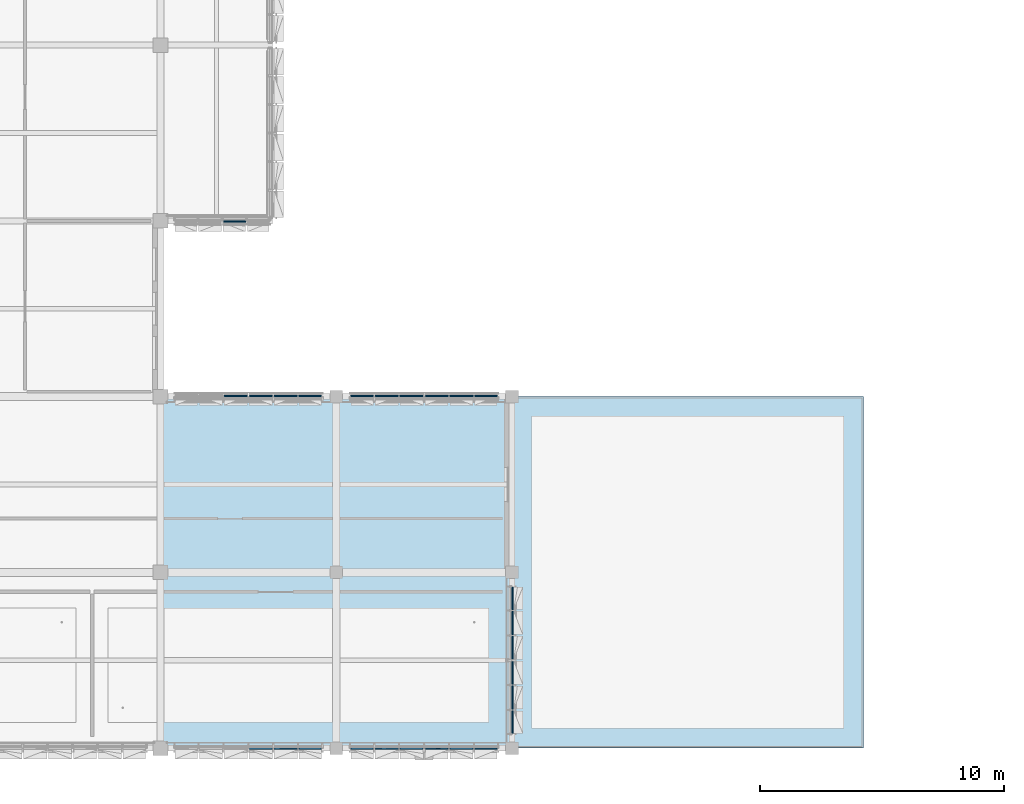
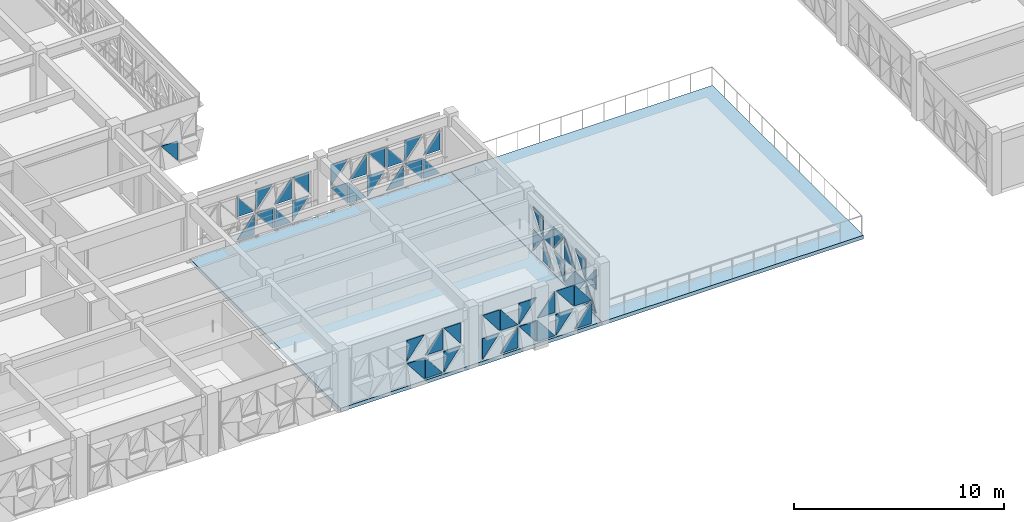
# One storey, part 34 of 99: 51 plates, 2 slabs, 6 elements without a shape of their own.
"""IFC4 building model written with IfcOpenShell, lengths in metres."""

import ifcopenshell
import ifcopenshell.guid

model = None  # the IFC model being written
_history = None  # IfcOwnerHistory: only IFC2X3 demands one
_inside = {}  # id of a spatial element -> (the spatial element, [elements in it])
_under = {}  # id of a project, library or spatial element -> (it, [spatial elements below it])
_declared = {}  # id of a project -> (the project, [libraries it declares])
_typed = {}  # id of a type object -> (the type object, [elements of that type])
_made_of = {}  # id of a material, layer set ... -> (it, [elements and type objects made of it])


def new_model(schema):
    """Start an empty IFC model of exactly this schema.

    Asked for "IFC4X3", IfcOpenShell would pick the latest addendum, in which some entities
    have other attributes; the version numbers below select the first issue.
    IFC2X3 requires an IfcOwnerHistory on every rooted entity: one is made here for all.
    """
    global model, _history
    if schema == "IFC4X3":
        model = ifcopenshell.file(schema_version=(4, 3, 0, 0))
    else:
        model = ifcopenshell.file(schema=schema)
    _inside.clear()
    _under.clear()
    _declared.clear()
    _typed.clear()
    _made_of.clear()
    _history = None
    if model.schema == "IFC2X3":
        org = make("IfcOrganization", Name="unknown")
        user = make(
            "IfcPersonAndOrganization",
            ThePerson=make("IfcPerson", FamilyName="unknown"),
            TheOrganization=org,
        )
        app = make(
            "IfcApplication",
            ApplicationDeveloper=org,
            Version="unknown",
            ApplicationFullName="unknown",
            ApplicationIdentifier="unknown",
        )
        _history = make(
            "IfcOwnerHistory",
            OwningUser=user,
            OwningApplication=app,
            ChangeAction="ADDED",
            CreationDate=0,
        )
    return model


def make(cls, **values):
    """One entity of the class cls with the attributes given. An attribute that is None is left unset."""
    return model.create_entity(
        cls, **{name: value for name, value in values.items() if value is not None}
    )


def rooted(cls, **values):
    """An entity with a GlobalId (a new one), such as an element, a storey or a relation."""
    return make(cls, GlobalId=ifcopenshell.guid.new(), OwnerHistory=_history, **values)


def si_unit(unit_type, name, prefix=None):
    """IfcSIUnit, for example si_unit("LENGTHUNIT", "METRE", prefix="MILLI")."""
    return make("IfcSIUnit", UnitType=unit_type, Prefix=prefix, Name=name)


def assignment(units):
    """IfcUnitAssignment: the units of a project."""
    return None if units is None else make("IfcUnitAssignment", Units=units)


def point(xyz):
    """IfcCartesianPoint."""
    return None if xyz is None else make("IfcCartesianPoint", Coordinates=xyz)


def direction(xyz):
    """IfcDirection."""
    return None if xyz is None else make("IfcDirection", DirectionRatios=xyz)


def frame(location, z_axis=None, x_axis=None):
    """IfcAxis2Placement3D, a coordinate frame: its origin and axes. An axis left out is left unset."""
    return make(
        "IfcAxis2Placement3D",
        Location=point(location),
        Axis=direction(z_axis),
        RefDirection=direction(x_axis),
    )


def origin():
    """The frame at (0, 0, 0) with its axes left unset."""
    return frame((0.0, 0.0, 0.0))


def place(relative_to, where):
    """IfcLocalPlacement: puts the frame where relative to a parent placement (None: the world)."""
    return make(
        "IfcLocalPlacement", PlacementRelTo=relative_to, RelativePlacement=where
    )


def context(
    kind, dimensions, precision=None, world=None, true_north=None, identifier=None
):
    """IfcGeometricRepresentationContext, for example the 3D "Model" context."""
    return make(
        "IfcGeometricRepresentationContext",
        ContextIdentifier=identifier,
        ContextType=kind,
        CoordinateSpaceDimension=dimensions,
        Precision=precision,
        WorldCoordinateSystem=world,
        TrueNorth=true_north,
    )


def subcontext(parent, identifier, kind, view, scale=None):
    """IfcGeometricRepresentationSubContext, for example "Body" below "Model"."""
    return make(
        "IfcGeometricRepresentationSubContext",
        ContextIdentifier=identifier,
        ContextType=kind,
        ParentContext=parent,
        TargetScale=scale,
        TargetView=view,
    )


def project(units=None, contexts=None):
    """IfcProject with its units and contexts."""
    return rooted(
        "IfcProject",
        Name="project",
        RepresentationContexts=contexts,
        UnitsInContext=assignment(units),
    )


def spatial(cls, under=None, at=None, **own):
    """A site, building, storey or space (cls), placed at a placement, below another one or the project."""
    s = rooted(cls, ObjectPlacement=at, **own)
    if under is not None:
        _under.setdefault(under.id(), (under, []))[1].append(s)
    return s


def polyline(points):
    """IfcPolyline through the points."""
    return make("IfcPolyline", Points=[point(p) for p in points])


def outline(outer, holes=None, kind="AREA"):
    """IfcArbitraryClosedProfileDef: a profile drawn as a closed curve; with holes, ...WithVoids."""
    if holes is None:
        return make("IfcArbitraryClosedProfileDef", ProfileType=kind, OuterCurve=outer)
    return make(
        "IfcArbitraryProfileDefWithVoids",
        ProfileType=kind,
        OuterCurve=outer,
        InnerCurves=holes,
    )


def extrude(swept, where, along, depth):
    """IfcExtrudedAreaSolid: the profile swept, set in the frame where, extruded along a direction by depth."""
    return make(
        "IfcExtrudedAreaSolid",
        SweptArea=swept,
        Position=where,
        ExtrudedDirection=direction(along),
        Depth=depth,
    )


def shape(context_of_items, identifier, shape_type, items):
    """IfcShapeRepresentation: the items that make up one representation, for example the "Body"."""
    return make(
        "IfcShapeRepresentation",
        ContextOfItems=context_of_items,
        RepresentationIdentifier=identifier,
        RepresentationType=shape_type,
        Items=items,
    )


def material(Name=None, Category=None):
    """IfcMaterial."""
    return make("IfcMaterial", Name=Name, Category=Category)


def layer(
    of_material, thickness, ventilated=None, Name=None, Category=None, Priority=None
):
    """IfcMaterialLayer: one layer of a wall or slab, of a material (None: an air gap)."""
    return make(
        "IfcMaterialLayer",
        Material=of_material,
        LayerThickness=thickness,
        IsVentilated=ventilated,
        Name=Name,
        Category=Category,
        Priority=Priority,
    )


def layer_set(layers, Name=None):
    """IfcMaterialLayerSet."""
    return make("IfcMaterialLayerSet", MaterialLayers=layers, LayerSetName=Name)


def made_of(thing, what):
    """Note that an element or type object is made of a material, layer set ...; save() writes the relation."""
    if what is not None:
        _made_of.setdefault(what.id(), (what, []))[1].append(thing)
    return thing


def type_object(cls, material=None, **own):
    """A type object (cls), such as IfcWallType, which elements share."""
    return made_of(rooted(cls, **own), material)


def element(
    cls,
    number,
    at=None,
    inside=None,
    cuts=None,
    type_object=None,
    material=None,
    context=None,
    identifier="Body",
    shape_type=None,
    held_by="IfcProductDefinitionShape",
    body=None,
    shapes=None,
    **own,
):
    """One element of the class cls, such as IfcWall. Its Tag is "e" and its number.

    at: its placement. inside: the storey or other place that contains it. cuts: it is an
    opening in that element (IfcRelVoidsElement). A single representation is given by context,
    identifier, shape_type and body (its items); several are given by shapes. held_by: the class
    of the entity that holds the representations. save() writes the other relations.
    """
    e = rooted(cls, Tag="e%d" % number, ObjectPlacement=at, **own)
    if body is not None:
        shapes = [shape(context, identifier, shape_type, body)]
    if shapes is not None:
        e.Representation = make(held_by, Representations=shapes)
    if inside is not None:
        _inside.setdefault(inside.id(), (inside, []))[1].append(e)
    if cuts is not None:
        rooted(
            "IfcRelVoidsElement", RelatingBuildingElement=cuts, RelatedOpeningElement=e
        )
    if type_object is not None:
        _typed.setdefault(type_object.id(), (type_object, []))[1].append(e)
    return made_of(e, material)


def aggregate(whole, parts):
    """IfcRelAggregates: a whole, such as a stair, and the parts it consists of."""
    return rooted("IfcRelAggregates", RelatingObject=whole, RelatedObjects=parts)


def save(model, path):
    """Write the relations noted so far, then the file.

    IfcRelAggregates (storeys below a building ...), IfcRelContainedInSpatialStructure (elements
    in a storey), IfcRelDefinesByType, IfcRelAssociatesMaterial and IfcRelDeclares: one each for
    every whole, place, type object, material and project.
    """
    for whole, parts in _under.values():
        aggregate(whole, parts)
    for where, things in _inside.values():
        rooted(
            "IfcRelContainedInSpatialStructure",
            RelatedElements=things,
            RelatingStructure=where,
        )
    for kind, things in _typed.values():
        rooted("IfcRelDefinesByType", RelatedObjects=things, RelatingType=kind)
    for what, things in _made_of.values():
        rooted("IfcRelAssociatesMaterial", RelatedObjects=things, RelatingMaterial=what)
    for by, libraries in _declared.values():
        rooted("IfcRelDeclares", RelatingContext=by, RelatedDefinitions=libraries)
    model.write(path)


model = new_model("IFC4")

# Units and contexts
model_context = context("Model", 3, precision=1e-05, world=origin(), true_north=direction((0.0, 1.0)))
body_context = subcontext(model_context, "Body", "Model", "MODEL_VIEW")
ifc_project = project(units=[si_unit("LENGTHUNIT", "METRE"), si_unit("AREAUNIT", "SQUARE_METRE"), si_unit("VOLUMEUNIT", "CUBIC_METRE"), si_unit("PLANEANGLEUNIT", "RADIAN"), si_unit("MASSUNIT", "GRAM", prefix="KILO")], contexts=[model_context])

# Site, building, storey
site_placement = place(None, origin())
site = spatial("IfcSite", under=ifc_project, at=site_placement, CompositionType="ELEMENT")
building_placement = place(site_placement, origin())
building = spatial("IfcBuilding", under=site, at=building_placement, Name="Alvorim Cloister Faculty of Sciences", CompositionType="ELEMENT")
storey_placement = place(building_placement, frame((0.0, 0.0, 12.14990234375)))
storey = spatial("IfcBuildingStorey", under=building, at=storey_placement, Name="L03", CompositionType="ELEMENT", Elevation=12.14990234375)

# Curtain wall, plate
ifc_material_1 = material(Name="Aluminium and Low-E Glass Curtain Wall", Category="aluminium")
curtain_wall_type_1 = type_object("IfcCurtainWallType", Name="CW-TRI-3980x2706", PredefinedType="USERDEFINED", material=ifc_material_1)
curtain_wall_1_placement = place(storey_placement, origin())
curtain_wall_1 = element("IfcCurtainWall", 1, at=curtain_wall_1_placement, inside=storey, type_object=curtain_wall_type_1, Name="L03 Diagonal Cassette Curtain Wall CW-0143", ObjectType="UNITISED CURTAIN WALL", PredefinedType="USERDEFINED")
ifc_material_2 = material(Name="Double Low-E Laminated Glass", Category="glass")
ifc_layer_1 = layer(ifc_material_2, 0.0400390625)
ifc_layer_set_1 = layer_set([ifc_layer_1], Name="Double Low-E Laminated Glass")
plate_type = type_object("IfcPlateType", Name="PN-GLZ-40", PredefinedType="CURTAIN_PANEL", material=ifc_layer_set_1)
plate_1_placement = place(storey_placement, frame((31.362548828125, 21.574951171875, 0.14013671875), z_axis=(0.0, 0.0, 1.0), x_axis=(1.0, 0.0, 0.0)))
plate_1 = element("IfcPlate", 2, at=plate_1_placement, type_object=plate_type, Name="Diagonal Glazed Triangle TRI-TR", PredefinedType="CURTAIN_PANEL", context=body_context, shape_type="SweptSolid", body=[
    extrude(outline(polyline([(0.929931640625, 0.001953125), (0.929931640625, 1.14306640625), (0.001953125, 1.14306640625), (0.929931640625, 0.001953125)])), frame((0.0, 0.02490234375, 0.0), z_axis=(0.0, -1.0, 0.0), x_axis=(1.0, 0.0, 0.0)), (0.0, 0.0, 1.0), 0.050048828125),
])
aggregate(curtain_wall_1, [plate_1])

# Curtain wall, plates
curtain_wall_type_2 = type_object("IfcCurtainWallType", Name="CW-TRI-6120x2850", PredefinedType="USERDEFINED", material=ifc_material_1)
curtain_wall_2_placement = place(storey_placement, origin())
curtain_wall_2 = element("IfcCurtainWall", 3, at=curtain_wall_2_placement, inside=storey, type_object=curtain_wall_type_2, Name="L03 Diagonal Cassette Curtain Wall CW-0144", ObjectType="UNITISED CURTAIN WALL", PredefinedType="USERDEFINED")
plate_2_placement = place(storey_placement, frame((31.41259765625, 14.425048828125, 0.14013671875), z_axis=(0.0, 0.0, 1.0), x_axis=(1.0, 0.0, 0.0)))
plate_2 = element("IfcPlate", 4, at=plate_2_placement, type_object=plate_type, Name="Diagonal Glazed Triangle TRI-BR", PredefinedType="CURTAIN_PANEL", context=body_context, shape_type="SweptSolid", body=[
    extrude(outline(polyline([(0.001953125, 0.0), (0.955078125, 0.0), (0.955078125, 1.212890625), (0.001953125, 0.0)])), frame((0.0, 0.02490234375, 0.0), z_axis=(0.0, -1.0, 0.0), x_axis=(1.0, 0.0, 0.0)), (0.0, 0.0, 1.0), 0.050048828125),
])
plate_3_placement = place(storey_placement, frame((31.41259765625, 14.425048828125, 1.4951171875), z_axis=(0.0, 0.0, 1.0), x_axis=(1.0, 0.0, 0.0)))
plate_3 = element("IfcPlate", 5, at=plate_3_placement, type_object=plate_type, Name="Diagonal Glazed Triangle TRI-BL", PredefinedType="CURTAIN_PANEL", context=body_context, shape_type="SweptSolid", body=[
    extrude(outline(polyline([(0.0, 0.0), (0.953125, 0.0), (0.0, 1.213134765625), (0.0, 0.0)])), frame((0.0, 0.02490234375, 0.0), z_axis=(0.0, -1.0, 0.0), x_axis=(1.0, 0.0, 0.0)), (0.0, 0.0, 1.0), 0.050048828125),
])
plate_4_placement = place(storey_placement, frame((32.4326171875, 14.425048828125, 0.14013671875), z_axis=(0.0, 0.0, 1.0), x_axis=(1.0, 0.0, 0.0)))
plate_4 = element("IfcPlate", 6, at=plate_4_placement, type_object=plate_type, Name="Diagonal Glazed Triangle TRI-TR", PredefinedType="CURTAIN_PANEL", context=body_context, shape_type="SweptSolid", body=[
    extrude(outline(polyline([(0.955078125, 0.001953125), (0.955078125, 1.21484375), (0.001953125, 1.21484375), (0.955078125, 0.001953125)])), frame((0.0, 0.02490234375, 0.0), z_axis=(0.0, -1.0, 0.0), x_axis=(1.0, 0.0, 0.0)), (0.0, 0.0, 1.0), 0.050048828125),
])
plate_5_placement = place(storey_placement, frame((32.4326171875, 14.425048828125, 1.4951171875), z_axis=(0.0, 0.0, 1.0), x_axis=(1.0, 0.0, 0.0)))
plate_5 = element("IfcPlate", 7, at=plate_5_placement, type_object=plate_type, Name="Diagonal Glazed Triangle TRI-TL", PredefinedType="CURTAIN_PANEL", context=body_context, shape_type="SweptSolid", body=[
    extrude(outline(polyline([(0.953125, 1.215087890625), (0.0, 1.215087890625), (0.0, 0.001953125), (0.953125, 1.215087890625)])), frame((0.0, 0.02490234375, 0.0), z_axis=(0.0, -1.0, 0.0), x_axis=(1.0, 0.0, 0.0)), (0.0, 0.0, 1.0), 0.050048828125),
])
plate_6_placement = place(storey_placement, frame((33.452392578125, 14.425048828125, 0.14013671875), z_axis=(0.0, 0.0, 1.0), x_axis=(1.0, 0.0, 0.0)))
plate_6 = element("IfcPlate", 8, at=plate_6_placement, type_object=plate_type, Name="Diagonal Glazed Triangle TRI-BL", PredefinedType="CURTAIN_PANEL", context=body_context, shape_type="SweptSolid", body=[
    extrude(outline(polyline([(0.0, 0.0), (0.953125, 0.0), (0.0, 1.212890625), (0.0, 0.0)])), frame((0.0, 0.02490234375, 0.0), z_axis=(0.0, -1.0, 0.0), x_axis=(1.0, 0.0, 0.0)), (0.0, 0.0, 1.0), 0.050048828125),
])
plate_7_placement = place(storey_placement, frame((33.452392578125, 14.425048828125, 1.4951171875), z_axis=(0.0, 0.0, 1.0), x_axis=(1.0, 0.0, 0.0)))
plate_7 = element("IfcPlate", 9, at=plate_7_placement, type_object=plate_type, Name="Diagonal Glazed Triangle TRI-BR", PredefinedType="CURTAIN_PANEL", context=body_context, shape_type="SweptSolid", body=[
    extrude(outline(polyline([(0.001953125, 0.0), (0.955078125, 0.0), (0.955078125, 1.213134765625), (0.001953125, 0.0)])), frame((0.0, 0.02490234375, 0.0), z_axis=(0.0, -1.0, 0.0), x_axis=(1.0, 0.0, 0.0)), (0.0, 0.0, 1.0), 0.050048828125),
])
plate_8_placement = place(storey_placement, frame((34.472412109375, 14.425048828125, 0.14013671875), z_axis=(0.0, 0.0, 1.0), x_axis=(1.0, 0.0, 0.0)))
plate_8 = element("IfcPlate", 10, at=plate_8_placement, type_object=plate_type, Name="Diagonal Glazed Triangle TRI-TL", PredefinedType="CURTAIN_PANEL", context=body_context, shape_type="SweptSolid", body=[
    extrude(outline(polyline([(0.920654296875, 1.21484375), (0.0, 1.21484375), (0.0, 0.001953125), (0.920654296875, 1.21484375)])), frame((0.0, 0.02490234375, 0.0), z_axis=(0.0, -1.0, 0.0), x_axis=(1.0, 0.0, 0.0)), (0.0, 0.0, 1.0), 0.050048828125),
])
plate_9_placement = place(storey_placement, frame((34.472412109375, 14.425048828125, 1.4951171875), z_axis=(0.0, 0.0, 1.0), x_axis=(1.0, 0.0, 0.0)))
plate_9 = element("IfcPlate", 11, at=plate_9_placement, type_object=plate_type, Name="Diagonal Glazed Triangle TRI-TR", PredefinedType="CURTAIN_PANEL", context=body_context, shape_type="SweptSolid", body=[
    extrude(outline(polyline([(0.922607421875, 0.001953125), (0.922607421875, 1.215087890625), (0.001953125, 1.215087890625), (0.922607421875, 0.001953125)])), frame((0.0, 0.02490234375, 0.0), z_axis=(0.0, -1.0, 0.0), x_axis=(1.0, 0.0, 0.0)), (0.0, 0.0, 1.0), 0.050048828125),
])
aggregate(curtain_wall_2, [plate_2, plate_3, plate_4, plate_5, plate_6, plate_7, plate_8, plate_9])

curtain_wall_3_placement = place(storey_placement, origin())
curtain_wall_3 = element("IfcCurtainWall", 12, at=curtain_wall_3_placement, inside=storey, type_object=curtain_wall_type_2, Name="L03 Diagonal Cassette Curtain Wall CW-0145", ObjectType="UNITISED CURTAIN WALL", PredefinedType="USERDEFINED")
plate_10_placement = place(storey_placement, frame((36.60498046875, 14.425048828125, 0.14013671875), z_axis=(0.0, 0.0, 1.0), x_axis=(1.0, 0.0, 0.0)))
plate_10 = element("IfcPlate", 13, at=plate_10_placement, type_object=plate_type, Name="Diagonal Glazed Triangle TRI-TR", PredefinedType="CURTAIN_PANEL", context=body_context, shape_type="SweptSolid", body=[
    extrude(outline(polyline([(0.922607421875, 0.001953125), (0.922607421875, 1.21484375), (0.001953125, 1.21484375), (0.922607421875, 0.001953125)])), frame((0.0, 0.02490234375, 0.0), z_axis=(0.0, -1.0, 0.0), x_axis=(1.0, 0.0, 0.0)), (0.0, 0.0, 1.0), 0.050048828125),
])
plate_11_placement = place(storey_placement, frame((36.60498046875, 14.425048828125, 1.4951171875), z_axis=(0.0, 0.0, 1.0), x_axis=(1.0, 0.0, 0.0)))
plate_11 = element("IfcPlate", 14, at=plate_11_placement, type_object=plate_type, Name="Diagonal Glazed Triangle TRI-TL", PredefinedType="CURTAIN_PANEL", context=body_context, shape_type="SweptSolid", body=[
    extrude(outline(polyline([(0.920654296875, 1.215087890625), (0.0, 1.215087890625), (0.0, 0.001953125), (0.920654296875, 1.215087890625)])), frame((0.0, 0.02490234375, 0.0), z_axis=(0.0, -1.0, 0.0), x_axis=(1.0, 0.0, 0.0)), (0.0, 0.0, 1.0), 0.050048828125),
])
plate_12_placement = place(storey_placement, frame((37.592529296875, 14.425048828125, 0.14013671875), z_axis=(0.0, 0.0, 1.0), x_axis=(1.0, 0.0, 0.0)))
plate_12 = element("IfcPlate", 15, at=plate_12_placement, type_object=plate_type, Name="Diagonal Glazed Triangle TRI-BL", PredefinedType="CURTAIN_PANEL", context=body_context, shape_type="SweptSolid", body=[
    extrude(outline(polyline([(0.0, 0.0), (0.953125, 0.0), (0.0, 1.212890625), (0.0, 0.0)])), frame((0.0, 0.02490234375, 0.0), z_axis=(0.0, -1.0, 0.0), x_axis=(1.0, 0.0, 0.0)), (0.0, 0.0, 1.0), 0.050048828125),
])
plate_13_placement = place(storey_placement, frame((37.592529296875, 14.425048828125, 1.4951171875), z_axis=(0.0, 0.0, 1.0), x_axis=(1.0, 0.0, 0.0)))
plate_13 = element("IfcPlate", 16, at=plate_13_placement, type_object=plate_type, Name="Diagonal Glazed Triangle TRI-BR", PredefinedType="CURTAIN_PANEL", context=body_context, shape_type="SweptSolid", body=[
    extrude(outline(polyline([(0.001953125, 0.0), (0.955078125, 0.0), (0.955078125, 1.213134765625), (0.001953125, 0.0)])), frame((0.0, 0.02490234375, 0.0), z_axis=(0.0, -1.0, 0.0), x_axis=(1.0, 0.0, 0.0)), (0.0, 0.0, 1.0), 0.050048828125),
])
plate_14_placement = place(storey_placement, frame((38.612548828125, 14.425048828125, 0.14013671875), z_axis=(0.0, 0.0, 1.0), x_axis=(1.0, 0.0, 0.0)))
plate_14 = element("IfcPlate", 17, at=plate_14_placement, type_object=plate_type, Name="Diagonal Glazed Triangle TRI-TL", PredefinedType="CURTAIN_PANEL", context=body_context, shape_type="SweptSolid", body=[
    extrude(outline(polyline([(0.953125, 1.21484375), (0.0, 1.21484375), (0.0, 0.001953125), (0.953125, 1.21484375)])), frame((0.0, 0.02490234375, 0.0), z_axis=(0.0, -1.0, 0.0), x_axis=(1.0, 0.0, 0.0)), (0.0, 0.0, 1.0), 0.050048828125),
])
plate_15_placement = place(storey_placement, frame((38.612548828125, 14.425048828125, 1.4951171875), z_axis=(0.0, 0.0, 1.0), x_axis=(1.0, 0.0, 0.0)))
plate_15 = element("IfcPlate", 18, at=plate_15_placement, type_object=plate_type, Name="Diagonal Glazed Triangle TRI-TR", PredefinedType="CURTAIN_PANEL", context=body_context, shape_type="SweptSolid", body=[
    extrude(outline(polyline([(0.955078125, 0.001953125), (0.955078125, 1.215087890625), (0.001953125, 1.215087890625), (0.955078125, 0.001953125)])), frame((0.0, 0.02490234375, 0.0), z_axis=(0.0, -1.0, 0.0), x_axis=(1.0, 0.0, 0.0)), (0.0, 0.0, 1.0), 0.050048828125),
])
plate_16_placement = place(storey_placement, frame((39.632568359375, 14.425048828125, 0.14013671875), z_axis=(0.0, 0.0, 1.0), x_axis=(1.0, 0.0, 0.0)))
plate_16 = element("IfcPlate", 19, at=plate_16_placement, type_object=plate_type, Name="Diagonal Glazed Triangle TRI-BR", PredefinedType="CURTAIN_PANEL", context=body_context, shape_type="SweptSolid", body=[
    extrude(outline(polyline([(0.001953125, 0.0), (0.955078125, 0.0), (0.955078125, 1.212890625), (0.001953125, 0.0)])), frame((0.0, 0.02490234375, 0.0), z_axis=(0.0, -1.0, 0.0), x_axis=(1.0, 0.0, 0.0)), (0.0, 0.0, 1.0), 0.050048828125),
])
plate_17_placement = place(storey_placement, frame((39.632568359375, 14.425048828125, 1.4951171875), z_axis=(0.0, 0.0, 1.0), x_axis=(1.0, 0.0, 0.0)))
plate_17 = element("IfcPlate", 20, at=plate_17_placement, type_object=plate_type, Name="Diagonal Glazed Triangle TRI-BL", PredefinedType="CURTAIN_PANEL", context=body_context, shape_type="SweptSolid", body=[
    extrude(outline(polyline([(0.0, 0.0), (0.953125, 0.0), (0.0, 1.213134765625), (0.0, 0.0)])), frame((0.0, 0.02490234375, 0.0), z_axis=(0.0, -1.0, 0.0), x_axis=(1.0, 0.0, 0.0)), (0.0, 0.0, 1.0), 0.050048828125),
])
plate_18_placement = place(storey_placement, frame((40.652587890625, 14.425048828125, 0.14013671875), z_axis=(0.0, 0.0, 1.0), x_axis=(1.0, 0.0, 0.0)))
plate_18 = element("IfcPlate", 21, at=plate_18_placement, type_object=plate_type, Name="Diagonal Glazed Triangle TRI-TR", PredefinedType="CURTAIN_PANEL", context=body_context, shape_type="SweptSolid", body=[
    extrude(outline(polyline([(0.955078125, 0.001953125), (0.955078125, 1.21484375), (0.001953125, 1.21484375), (0.955078125, 0.001953125)])), frame((0.0, 0.02490234375, 0.0), z_axis=(0.0, -1.0, 0.0), x_axis=(1.0, 0.0, 0.0)), (0.0, 0.0, 1.0), 0.050048828125),
])
plate_19_placement = place(storey_placement, frame((40.652587890625, 14.425048828125, 1.4951171875), z_axis=(0.0, 0.0, 1.0), x_axis=(1.0, 0.0, 0.0)))
plate_19 = element("IfcPlate", 22, at=plate_19_placement, type_object=plate_type, Name="Diagonal Glazed Triangle TRI-TL", PredefinedType="CURTAIN_PANEL", context=body_context, shape_type="SweptSolid", body=[
    extrude(outline(polyline([(0.953125, 1.215087890625), (0.0, 1.215087890625), (0.0, 0.001953125), (0.953125, 1.215087890625)])), frame((0.0, 0.02490234375, 0.0), z_axis=(0.0, -1.0, 0.0), x_axis=(1.0, 0.0, 0.0)), (0.0, 0.0, 1.0), 0.050048828125),
])
plate_20_placement = place(storey_placement, frame((41.672607421875, 14.425048828125, 0.14013671875), z_axis=(0.0, 0.0, 1.0), x_axis=(1.0, 0.0, 0.0)))
plate_20 = element("IfcPlate", 23, at=plate_20_placement, type_object=plate_type, Name="Diagonal Glazed Triangle TRI-BL", PredefinedType="CURTAIN_PANEL", context=body_context, shape_type="SweptSolid", body=[
    extrude(outline(polyline([(0.0, 0.0), (0.920654296875, 0.0), (0.0, 1.212890625), (0.0, 0.0)])), frame((0.0, 0.02490234375, 0.0), z_axis=(0.0, -1.0, 0.0), x_axis=(1.0, 0.0, 0.0)), (0.0, 0.0, 1.0), 0.050048828125),
])
plate_21_placement = place(storey_placement, frame((41.672607421875, 14.425048828125, 1.4951171875), z_axis=(0.0, 0.0, 1.0), x_axis=(1.0, 0.0, 0.0)))
plate_21 = element("IfcPlate", 24, at=plate_21_placement, type_object=plate_type, Name="Diagonal Glazed Triangle TRI-BR", PredefinedType="CURTAIN_PANEL", context=body_context, shape_type="SweptSolid", body=[
    extrude(outline(polyline([(0.001953125, 0.0), (0.922607421875, 0.0), (0.922607421875, 1.213134765625), (0.001953125, 0.0)])), frame((0.0, 0.02490234375, 0.0), z_axis=(0.0, -1.0, 0.0), x_axis=(1.0, 0.0, 0.0)), (0.0, 0.0, 1.0), 0.050048828125),
])
aggregate(curtain_wall_3, [plate_10, plate_11, plate_12, plate_13, plate_14, plate_15, plate_16, plate_17, plate_18, plate_19, plate_20, plate_21])

curtain_wall_4_placement = place(storey_placement, origin())
curtain_wall_4 = element("IfcCurtainWall", 25, at=curtain_wall_4_placement, inside=storey, type_object=curtain_wall_type_2, Name="L03 Diagonal Cassette Curtain Wall CW-0146", ObjectType="UNITISED CURTAIN WALL", PredefinedType="USERDEFINED")
plate_22_placement = place(storey_placement, frame((43.22509765625, 0.60498046875, 0.14013671875), z_axis=(0.0, 0.0, 1.0), x_axis=(0.0, 1.0, 0.0)))
plate_22 = element("IfcPlate", 26, at=plate_22_placement, type_object=plate_type, Name="Diagonal Glazed Triangle TRI-BR", PredefinedType="CURTAIN_PANEL", context=body_context, shape_type="SweptSolid", body=[
    extrude(outline(polyline([(0.001953125, 0.0), (0.922607421875, 0.0), (0.922607421875, 1.212890625), (0.001953125, 0.0)])), frame((0.0, 0.02490234375, 0.0), z_axis=(0.0, -1.0, 0.0), x_axis=(1.0, 0.0, 0.0)), (0.0, 0.0, 1.0), 0.050048828125),
])
plate_23_placement = place(storey_placement, frame((43.22509765625, 0.60498046875, 1.4951171875), z_axis=(0.0, 0.0, 1.0), x_axis=(0.0, 1.0, 0.0)))
plate_23 = element("IfcPlate", 27, at=plate_23_placement, type_object=plate_type, Name="Diagonal Glazed Triangle TRI-BL", PredefinedType="CURTAIN_PANEL", context=body_context, shape_type="SweptSolid", body=[
    extrude(outline(polyline([(0.0, 0.0), (0.920654296875, 0.0), (0.0, 1.213134765625), (0.0, 0.0)])), frame((0.0, 0.02490234375, 0.0), z_axis=(0.0, -1.0, 0.0), x_axis=(1.0, 0.0, 0.0)), (0.0, 0.0, 1.0), 0.050048828125),
])
plate_24_placement = place(storey_placement, frame((43.22509765625, 1.592529296875, 0.14013671875), z_axis=(0.0, 0.0, 1.0), x_axis=(0.0, 1.0, 0.0)))
plate_24 = element("IfcPlate", 28, at=plate_24_placement, type_object=plate_type, Name="Diagonal Glazed Triangle TRI-TR", PredefinedType="CURTAIN_PANEL", context=body_context, shape_type="SweptSolid", body=[
    extrude(outline(polyline([(0.955078125, 0.001953125), (0.955078125, 1.21484375), (0.001953125, 1.21484375), (0.955078125, 0.001953125)])), frame((0.0, 0.02490234375, 0.0), z_axis=(0.0, -1.0, 0.0), x_axis=(1.0, 0.0, 0.0)), (0.0, 0.0, 1.0), 0.050048828125),
])
plate_25_placement = place(storey_placement, frame((43.22509765625, 1.592529296875, 1.4951171875), z_axis=(0.0, 0.0, 1.0), x_axis=(0.0, 1.0, 0.0)))
plate_25 = element("IfcPlate", 29, at=plate_25_placement, type_object=plate_type, Name="Diagonal Glazed Triangle TRI-TL", PredefinedType="CURTAIN_PANEL", context=body_context, shape_type="SweptSolid", body=[
    extrude(outline(polyline([(0.953125, 1.215087890625), (0.0, 1.215087890625), (0.0, 0.001953125), (0.953125, 1.215087890625)])), frame((0.0, 0.02490234375, 0.0), z_axis=(0.0, -1.0, 0.0), x_axis=(1.0, 0.0, 0.0)), (0.0, 0.0, 1.0), 0.050048828125),
])
plate_26_placement = place(storey_placement, frame((43.22509765625, 2.612548828125, 0.14013671875), z_axis=(0.0, 0.0, 1.0), x_axis=(0.0, 1.0, 0.0)))
plate_26 = element("IfcPlate", 30, at=plate_26_placement, type_object=plate_type, Name="Diagonal Glazed Triangle TRI-BL", PredefinedType="CURTAIN_PANEL", context=body_context, shape_type="SweptSolid", body=[
    extrude(outline(polyline([(0.0, 0.0), (0.953125, 0.0), (0.0, 1.212890625), (0.0, 0.0)])), frame((0.0, 0.02490234375, 0.0), z_axis=(0.0, -1.0, 0.0), x_axis=(1.0, 0.0, 0.0)), (0.0, 0.0, 1.0), 0.050048828125),
])
plate_27_placement = place(storey_placement, frame((43.22509765625, 2.612548828125, 1.4951171875), z_axis=(0.0, 0.0, 1.0), x_axis=(0.0, 1.0, 0.0)))
plate_27 = element("IfcPlate", 31, at=plate_27_placement, type_object=plate_type, Name="Diagonal Glazed Triangle TRI-BR", PredefinedType="CURTAIN_PANEL", context=body_context, shape_type="SweptSolid", body=[
    extrude(outline(polyline([(0.001953125, 0.0), (0.955078125, 0.0), (0.955078125, 1.213134765625), (0.001953125, 0.0)])), frame((0.0, 0.02490234375, 0.0), z_axis=(0.0, -1.0, 0.0), x_axis=(1.0, 0.0, 0.0)), (0.0, 0.0, 1.0), 0.050048828125),
])
plate_28_placement = place(storey_placement, frame((43.22509765625, 3.632568359375, 0.14013671875), z_axis=(0.0, 0.0, 1.0), x_axis=(0.0, 1.0, 0.0)))
plate_28 = element("IfcPlate", 32, at=plate_28_placement, type_object=plate_type, Name="Diagonal Glazed Triangle TRI-TL", PredefinedType="CURTAIN_PANEL", context=body_context, shape_type="SweptSolid", body=[
    extrude(outline(polyline([(0.953125, 1.21484375), (0.0, 1.21484375), (0.0, 0.001953125), (0.953125, 1.21484375)])), frame((0.0, 0.02490234375, 0.0), z_axis=(0.0, -1.0, 0.0), x_axis=(1.0, 0.0, 0.0)), (0.0, 0.0, 1.0), 0.050048828125),
])
plate_29_placement = place(storey_placement, frame((43.22509765625, 3.632568359375, 1.4951171875), z_axis=(0.0, 0.0, 1.0), x_axis=(0.0, 1.0, 0.0)))
plate_29 = element("IfcPlate", 33, at=plate_29_placement, type_object=plate_type, Name="Diagonal Glazed Triangle TRI-TR", PredefinedType="CURTAIN_PANEL", context=body_context, shape_type="SweptSolid", body=[
    extrude(outline(polyline([(0.955078125, 0.001953125), (0.955078125, 1.215087890625), (0.001953125, 1.215087890625), (0.955078125, 0.001953125)])), frame((0.0, 0.02490234375, 0.0), z_axis=(0.0, -1.0, 0.0), x_axis=(1.0, 0.0, 0.0)), (0.0, 0.0, 1.0), 0.050048828125),
])
plate_30_placement = place(storey_placement, frame((43.22509765625, 4.652587890625, 0.14013671875), z_axis=(0.0, 0.0, 1.0), x_axis=(0.0, 1.0, 0.0)))
plate_30 = element("IfcPlate", 34, at=plate_30_placement, type_object=plate_type, Name="Diagonal Glazed Triangle TRI-BR", PredefinedType="CURTAIN_PANEL", context=body_context, shape_type="SweptSolid", body=[
    extrude(outline(polyline([(0.001953125, 0.0), (0.955078125, 0.0), (0.955078125, 1.212890625), (0.001953125, 0.0)])), frame((0.0, 0.02490234375, 0.0), z_axis=(0.0, -1.0, 0.0), x_axis=(1.0, 0.0, 0.0)), (0.0, 0.0, 1.0), 0.050048828125),
])
plate_31_placement = place(storey_placement, frame((43.22509765625, 4.652587890625, 1.4951171875), z_axis=(0.0, 0.0, 1.0), x_axis=(0.0, 1.0, 0.0)))
plate_31 = element("IfcPlate", 35, at=plate_31_placement, type_object=plate_type, Name="Diagonal Glazed Triangle TRI-BL", PredefinedType="CURTAIN_PANEL", context=body_context, shape_type="SweptSolid", body=[
    extrude(outline(polyline([(0.0, 0.0), (0.953125, 0.0), (0.0, 1.213134765625), (0.0, 0.0)])), frame((0.0, 0.02490234375, 0.0), z_axis=(0.0, -1.0, 0.0), x_axis=(1.0, 0.0, 0.0)), (0.0, 0.0, 1.0), 0.050048828125),
])
plate_32_placement = place(storey_placement, frame((43.22509765625, 5.672607421875, 0.14013671875), z_axis=(0.0, 0.0, 1.0), x_axis=(0.0, 1.0, 0.0)))
plate_32 = element("IfcPlate", 36, at=plate_32_placement, type_object=plate_type, Name="Diagonal Glazed Triangle TRI-TR", PredefinedType="CURTAIN_PANEL", context=body_context, shape_type="SweptSolid", body=[
    extrude(outline(polyline([(0.922607421875, 0.001953125), (0.922607421875, 1.21484375), (0.001953125, 1.21484375), (0.922607421875, 0.001953125)])), frame((0.0, 0.02490234375, 0.0), z_axis=(0.0, -1.0, 0.0), x_axis=(1.0, 0.0, 0.0)), (0.0, 0.0, 1.0), 0.050048828125),
])
plate_33_placement = place(storey_placement, frame((43.22509765625, 5.672607421875, 1.4951171875), z_axis=(0.0, 0.0, 1.0), x_axis=(0.0, 1.0, 0.0)))
plate_33 = element("IfcPlate", 37, at=plate_33_placement, type_object=plate_type, Name="Diagonal Glazed Triangle TRI-TL", PredefinedType="CURTAIN_PANEL", context=body_context, shape_type="SweptSolid", body=[
    extrude(outline(polyline([(0.920654296875, 1.215087890625), (0.0, 1.215087890625), (0.0, 0.001953125), (0.920654296875, 1.215087890625)])), frame((0.0, 0.02490234375, 0.0), z_axis=(0.0, -1.0, 0.0), x_axis=(1.0, 0.0, 0.0)), (0.0, 0.0, 1.0), 0.050048828125),
])
aggregate(curtain_wall_4, [plate_22, plate_23, plate_24, plate_25, plate_26, plate_27, plate_28, plate_29, plate_30, plate_31, plate_32, plate_33])

curtain_wall_5_placement = place(storey_placement, origin())
curtain_wall_5 = element("IfcCurtainWall", 38, at=curtain_wall_5_placement, inside=storey, type_object=curtain_wall_type_2, Name="L03 Diagonal Cassette Curtain Wall CW-0147", ObjectType="UNITISED CURTAIN WALL", PredefinedType="USERDEFINED")
plate_34_placement = place(storey_placement, frame((36.60498046875, -0.02490234375, 0.14013671875), z_axis=(0.0, 0.0, 1.0), x_axis=(1.0, 0.0, 0.0)))
plate_34 = element("IfcPlate", 39, at=plate_34_placement, type_object=plate_type, Name="Diagonal Glazed Triangle TRI-TL", PredefinedType="CURTAIN_PANEL", context=body_context, shape_type="SweptSolid", body=[
    extrude(outline(polyline([(0.920654296875, 1.21484375), (0.0, 1.21484375), (0.0, 0.001953125), (0.920654296875, 1.21484375)])), frame((0.0, 0.02490234375, 0.0), z_axis=(0.0, -1.0, 0.0), x_axis=(1.0, 0.0, 0.0)), (0.0, 0.0, 1.0), 0.050048828125),
])
plate_35_placement = place(storey_placement, frame((36.60498046875, -0.02490234375, 1.4951171875), z_axis=(0.0, 0.0, 1.0), x_axis=(1.0, 0.0, 0.0)))
plate_35 = element("IfcPlate", 40, at=plate_35_placement, type_object=plate_type, Name="Diagonal Glazed Triangle TRI-TR", PredefinedType="CURTAIN_PANEL", context=body_context, shape_type="SweptSolid", body=[
    extrude(outline(polyline([(0.922607421875, 0.001953125), (0.922607421875, 1.215087890625), (0.001953125, 1.215087890625), (0.922607421875, 0.001953125)])), frame((0.0, 0.02490234375, 0.0), z_axis=(0.0, -1.0, 0.0), x_axis=(1.0, 0.0, 0.0)), (0.0, 0.0, 1.0), 0.050048828125),
])
plate_36_placement = place(storey_placement, frame((37.592529296875, -0.02490234375, 0.14013671875), z_axis=(0.0, 0.0, 1.0), x_axis=(1.0, 0.0, 0.0)))
plate_36 = element("IfcPlate", 41, at=plate_36_placement, type_object=plate_type, Name="Diagonal Glazed Triangle TRI-BR", PredefinedType="CURTAIN_PANEL", context=body_context, shape_type="SweptSolid", body=[
    extrude(outline(polyline([(0.001953125, 0.0), (0.955078125, 0.0), (0.955078125, 1.212890625), (0.001953125, 0.0)])), frame((0.0, 0.02490234375, 0.0), z_axis=(0.0, -1.0, 0.0), x_axis=(1.0, 0.0, 0.0)), (0.0, 0.0, 1.0), 0.050048828125),
])
plate_37_placement = place(storey_placement, frame((37.592529296875, -0.02490234375, 1.4951171875), z_axis=(0.0, 0.0, 1.0), x_axis=(1.0, 0.0, 0.0)))
plate_37 = element("IfcPlate", 42, at=plate_37_placement, type_object=plate_type, Name="Diagonal Glazed Triangle TRI-BL", PredefinedType="CURTAIN_PANEL", context=body_context, shape_type="SweptSolid", body=[
    extrude(outline(polyline([(0.0, 0.0), (0.953125, 0.0), (0.0, 1.213134765625), (0.0, 0.0)])), frame((0.0, 0.02490234375, 0.0), z_axis=(0.0, -1.0, 0.0), x_axis=(1.0, 0.0, 0.0)), (0.0, 0.0, 1.0), 0.050048828125),
])
plate_38_placement = place(storey_placement, frame((38.612548828125, -0.02490234375, 0.14013671875), z_axis=(0.0, 0.0, 1.0), x_axis=(1.0, 0.0, 0.0)))
plate_38 = element("IfcPlate", 43, at=plate_38_placement, type_object=plate_type, Name="Diagonal Glazed Triangle TRI-TR", PredefinedType="CURTAIN_PANEL", context=body_context, shape_type="SweptSolid", body=[
    extrude(outline(polyline([(0.955078125, 0.001953125), (0.955078125, 1.21484375), (0.001953125, 1.21484375), (0.955078125, 0.001953125)])), frame((0.0, 0.02490234375, 0.0), z_axis=(0.0, -1.0, 0.0), x_axis=(1.0, 0.0, 0.0)), (0.0, 0.0, 1.0), 0.050048828125),
])
plate_39_placement = place(storey_placement, frame((38.612548828125, -0.02490234375, 1.4951171875), z_axis=(0.0, 0.0, 1.0), x_axis=(1.0, 0.0, 0.0)))
plate_39 = element("IfcPlate", 44, at=plate_39_placement, type_object=plate_type, Name="Diagonal Glazed Triangle TRI-TL", PredefinedType="CURTAIN_PANEL", context=body_context, shape_type="SweptSolid", body=[
    extrude(outline(polyline([(0.953125, 1.215087890625), (0.0, 1.215087890625), (0.0, 0.001953125), (0.953125, 1.215087890625)])), frame((0.0, 0.02490234375, 0.0), z_axis=(0.0, -1.0, 0.0), x_axis=(1.0, 0.0, 0.0)), (0.0, 0.0, 1.0), 0.050048828125),
])
plate_40_placement = place(storey_placement, frame((39.632568359375, -0.02490234375, 0.14013671875), z_axis=(0.0, 0.0, 1.0), x_axis=(1.0, 0.0, 0.0)))
plate_40 = element("IfcPlate", 45, at=plate_40_placement, type_object=plate_type, Name="Diagonal Glazed Triangle TRI-BL", PredefinedType="CURTAIN_PANEL", context=body_context, shape_type="SweptSolid", body=[
    extrude(outline(polyline([(0.0, 0.0), (0.953125, 0.0), (0.0, 1.212890625), (0.0, 0.0)])), frame((0.0, 0.02490234375, 0.0), z_axis=(0.0, -1.0, 0.0), x_axis=(1.0, 0.0, 0.0)), (0.0, 0.0, 1.0), 0.050048828125),
])
plate_41_placement = place(storey_placement, frame((39.632568359375, -0.02490234375, 1.4951171875), z_axis=(0.0, 0.0, 1.0), x_axis=(1.0, 0.0, 0.0)))
plate_41 = element("IfcPlate", 46, at=plate_41_placement, type_object=plate_type, Name="Diagonal Glazed Triangle TRI-BR", PredefinedType="CURTAIN_PANEL", context=body_context, shape_type="SweptSolid", body=[
    extrude(outline(polyline([(0.001953125, 0.0), (0.955078125, 0.0), (0.955078125, 1.213134765625), (0.001953125, 0.0)])), frame((0.0, 0.02490234375, 0.0), z_axis=(0.0, -1.0, 0.0), x_axis=(1.0, 0.0, 0.0)), (0.0, 0.0, 1.0), 0.050048828125),
])
plate_42_placement = place(storey_placement, frame((40.652587890625, -0.02490234375, 0.14013671875), z_axis=(0.0, 0.0, 1.0), x_axis=(1.0, 0.0, 0.0)))
plate_42 = element("IfcPlate", 47, at=plate_42_placement, type_object=plate_type, Name="Diagonal Glazed Triangle TRI-TL", PredefinedType="CURTAIN_PANEL", context=body_context, shape_type="SweptSolid", body=[
    extrude(outline(polyline([(0.953125, 1.21484375), (0.0, 1.21484375), (0.0, 0.001953125), (0.953125, 1.21484375)])), frame((0.0, 0.02490234375, 0.0), z_axis=(0.0, -1.0, 0.0), x_axis=(1.0, 0.0, 0.0)), (0.0, 0.0, 1.0), 0.050048828125),
])
plate_43_placement = place(storey_placement, frame((40.652587890625, -0.02490234375, 1.4951171875), z_axis=(0.0, 0.0, 1.0), x_axis=(1.0, 0.0, 0.0)))
plate_43 = element("IfcPlate", 48, at=plate_43_placement, type_object=plate_type, Name="Diagonal Glazed Triangle TRI-TR", PredefinedType="CURTAIN_PANEL", context=body_context, shape_type="SweptSolid", body=[
    extrude(outline(polyline([(0.955078125, 0.001953125), (0.955078125, 1.215087890625), (0.001953125, 1.215087890625), (0.955078125, 0.001953125)])), frame((0.0, 0.02490234375, 0.0), z_axis=(0.0, -1.0, 0.0), x_axis=(1.0, 0.0, 0.0)), (0.0, 0.0, 1.0), 0.050048828125),
])
plate_44_placement = place(storey_placement, frame((41.672607421875, -0.02490234375, 0.14013671875), z_axis=(0.0, 0.0, 1.0), x_axis=(1.0, 0.0, 0.0)))
plate_44 = element("IfcPlate", 49, at=plate_44_placement, type_object=plate_type, Name="Diagonal Glazed Triangle TRI-BR", PredefinedType="CURTAIN_PANEL", context=body_context, shape_type="SweptSolid", body=[
    extrude(outline(polyline([(0.001953125, 0.0), (0.922607421875, 0.0), (0.922607421875, 1.212890625), (0.001953125, 0.0)])), frame((0.0, 0.02490234375, 0.0), z_axis=(0.0, -1.0, 0.0), x_axis=(1.0, 0.0, 0.0)), (0.0, 0.0, 1.0), 0.050048828125),
])
plate_45_placement = place(storey_placement, frame((41.672607421875, -0.02490234375, 1.4951171875), z_axis=(0.0, 0.0, 1.0), x_axis=(1.0, 0.0, 0.0)))
plate_45 = element("IfcPlate", 50, at=plate_45_placement, type_object=plate_type, Name="Diagonal Glazed Triangle TRI-BL", PredefinedType="CURTAIN_PANEL", context=body_context, shape_type="SweptSolid", body=[
    extrude(outline(polyline([(0.0, 0.0), (0.920654296875, 0.0), (0.0, 1.213134765625), (0.0, 0.0)])), frame((0.0, 0.02490234375, 0.0), z_axis=(0.0, -1.0, 0.0), x_axis=(1.0, 0.0, 0.0)), (0.0, 0.0, 1.0), 0.050048828125),
])
aggregate(curtain_wall_5, [plate_34, plate_35, plate_36, plate_37, plate_38, plate_39, plate_40, plate_41, plate_42, plate_43, plate_44, plate_45])

curtain_wall_6_placement = place(storey_placement, origin())
curtain_wall_6 = element("IfcCurtainWall", 51, at=curtain_wall_6_placement, inside=storey, type_object=curtain_wall_type_2, Name="L03 Diagonal Cassette Curtain Wall CW-0148", ObjectType="UNITISED CURTAIN WALL", PredefinedType="USERDEFINED")
plate_46_placement = place(storey_placement, frame((32.4326171875, -0.02490234375, 0.14013671875), z_axis=(0.0, 0.0, 1.0), x_axis=(1.0, 0.0, 0.0)))
plate_46 = element("IfcPlate", 52, at=plate_46_placement, type_object=plate_type, Name="Diagonal Glazed Triangle TRI-TR", PredefinedType="CURTAIN_PANEL", context=body_context, shape_type="SweptSolid", body=[
    extrude(outline(polyline([(0.955078125, 0.001953125), (0.955078125, 1.21484375), (0.001953125, 1.21484375), (0.955078125, 0.001953125)])), frame((0.0, 0.02490234375, 0.0), z_axis=(0.0, -1.0, 0.0), x_axis=(1.0, 0.0, 0.0)), (0.0, 0.0, 1.0), 0.050048828125),
])
plate_47_placement = place(storey_placement, frame((32.4326171875, -0.02490234375, 1.4951171875), z_axis=(0.0, 0.0, 1.0), x_axis=(1.0, 0.0, 0.0)))
plate_47 = element("IfcPlate", 53, at=plate_47_placement, type_object=plate_type, Name="Diagonal Glazed Triangle TRI-TL", PredefinedType="CURTAIN_PANEL", context=body_context, shape_type="SweptSolid", body=[
    extrude(outline(polyline([(0.953125, 1.215087890625), (0.0, 1.215087890625), (0.0, 0.001953125), (0.953125, 1.215087890625)])), frame((0.0, 0.02490234375, 0.0), z_axis=(0.0, -1.0, 0.0), x_axis=(1.0, 0.0, 0.0)), (0.0, 0.0, 1.0), 0.050048828125),
])
plate_48_placement = place(storey_placement, frame((33.452392578125, -0.02490234375, 0.14013671875), z_axis=(0.0, 0.0, 1.0), x_axis=(1.0, 0.0, 0.0)))
plate_48 = element("IfcPlate", 54, at=plate_48_placement, type_object=plate_type, Name="Diagonal Glazed Triangle TRI-BL", PredefinedType="CURTAIN_PANEL", context=body_context, shape_type="SweptSolid", body=[
    extrude(outline(polyline([(0.0, 0.0), (0.953125, 0.0), (0.0, 1.212890625), (0.0, 0.0)])), frame((0.0, 0.02490234375, 0.0), z_axis=(0.0, -1.0, 0.0), x_axis=(1.0, 0.0, 0.0)), (0.0, 0.0, 1.0), 0.050048828125),
])
plate_49_placement = place(storey_placement, frame((33.452392578125, -0.02490234375, 1.4951171875), z_axis=(0.0, 0.0, 1.0), x_axis=(1.0, 0.0, 0.0)))
plate_49 = element("IfcPlate", 55, at=plate_49_placement, type_object=plate_type, Name="Diagonal Glazed Triangle TRI-BR", PredefinedType="CURTAIN_PANEL", context=body_context, shape_type="SweptSolid", body=[
    extrude(outline(polyline([(0.001953125, 0.0), (0.955078125, 0.0), (0.955078125, 1.213134765625), (0.001953125, 0.0)])), frame((0.0, 0.02490234375, 0.0), z_axis=(0.0, -1.0, 0.0), x_axis=(1.0, 0.0, 0.0)), (0.0, 0.0, 1.0), 0.050048828125),
])
plate_50_placement = place(storey_placement, frame((34.472412109375, -0.02490234375, 0.14013671875), z_axis=(0.0, 0.0, 1.0), x_axis=(1.0, 0.0, 0.0)))
plate_50 = element("IfcPlate", 56, at=plate_50_placement, type_object=plate_type, Name="Diagonal Glazed Triangle TRI-TL", PredefinedType="CURTAIN_PANEL", context=body_context, shape_type="SweptSolid", body=[
    extrude(outline(polyline([(0.920654296875, 1.21484375), (0.0, 1.21484375), (0.0, 0.001953125), (0.920654296875, 1.21484375)])), frame((0.0, 0.02490234375, 0.0), z_axis=(0.0, -1.0, 0.0), x_axis=(1.0, 0.0, 0.0)), (0.0, 0.0, 1.0), 0.050048828125),
])
plate_51_placement = place(storey_placement, frame((34.472412109375, -0.02490234375, 1.4951171875), z_axis=(0.0, 0.0, 1.0), x_axis=(1.0, 0.0, 0.0)))
plate_51 = element("IfcPlate", 57, at=plate_51_placement, type_object=plate_type, Name="Diagonal Glazed Triangle TRI-TR", PredefinedType="CURTAIN_PANEL", context=body_context, shape_type="SweptSolid", body=[
    extrude(outline(polyline([(0.922607421875, 0.001953125), (0.922607421875, 1.215087890625), (0.001953125, 1.215087890625), (0.922607421875, 0.001953125)])), frame((0.0, 0.02490234375, 0.0), z_axis=(0.0, -1.0, 0.0), x_axis=(1.0, 0.0, 0.0)), (0.0, 0.0, 1.0), 0.050048828125),
])
aggregate(curtain_wall_6, [plate_46, plate_47, plate_48, plate_49, plate_50, plate_51])

# Slabs
ifc_material_3 = material(Name="Cross-Laminated Timber CLT C24", Category="wood")
ifc_layer_2 = layer(ifc_material_3, 0.2099609375)
ifc_layer_set_2 = layer_set([ifc_layer_2], Name="Cross-Laminated Timber CLT C24")
slab_type_1 = type_object("IfcSlabType", Name="SL-CLT-210", PredefinedType="FLOOR", material=ifc_layer_set_2)
slab_1_placement = place(storey_placement, frame((0.0, 0.0, -0.2099609375)))
element("IfcSlab", 58, at=slab_1_placement, inside=storey, type_object=slab_type_1, Name="L03 V4 Structural Slab 24", PredefinedType="FLOOR", context=body_context, shape_type="SweptSolid", body=[
    extrude(outline(polyline([(28.804931640625, 14.39501953125), (43.195068359375, 14.39501953125), (43.195068359375, 0.0048828125), (28.804931640625, 0.0048828125), (28.804931640625, 14.39501953125)])), origin(), (0.0, 0.0, 1.0), 0.2099609375),
])
ifc_layer_3 = layer(ifc_material_3, 0.2099609375)
ifc_layer_set_3 = layer_set([ifc_layer_3], Name="Cross-Laminated Timber CLT C24")
slab_type_2 = type_object("IfcSlabType", Name="SL-TER-210", PredefinedType="USERDEFINED", material=ifc_layer_set_3)
slab_2_placement = place(storey_placement, frame((0.0, 0.0, -0.2099609375)))
element("IfcSlab", 59, at=slab_2_placement, inside=storey, type_object=slab_type_2, Name="L03 South Cloister Quadrangle Roof Garden", ObjectType="TERRACE DECK", PredefinedType="USERDEFINED", context=body_context, shape_type="SweptSolid", body=[
    extrude(outline(polyline([(57.60009765625, 14.39990234375), (57.60009765625, 0.0), (43.215087890625, 0.0), (43.215087890625, 14.39990234375), (57.60009765625, 14.39990234375)])), origin(), (0.0, 0.0, 1.0), 0.2099609375),
])

save(model, "model.ifc")
